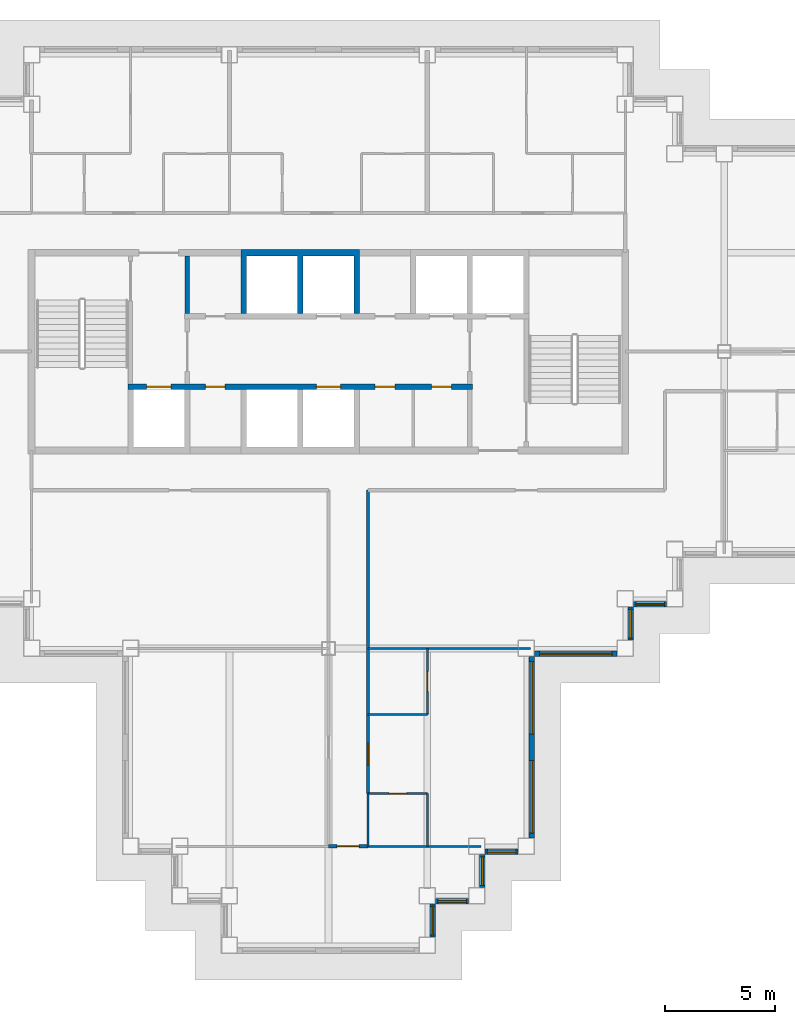
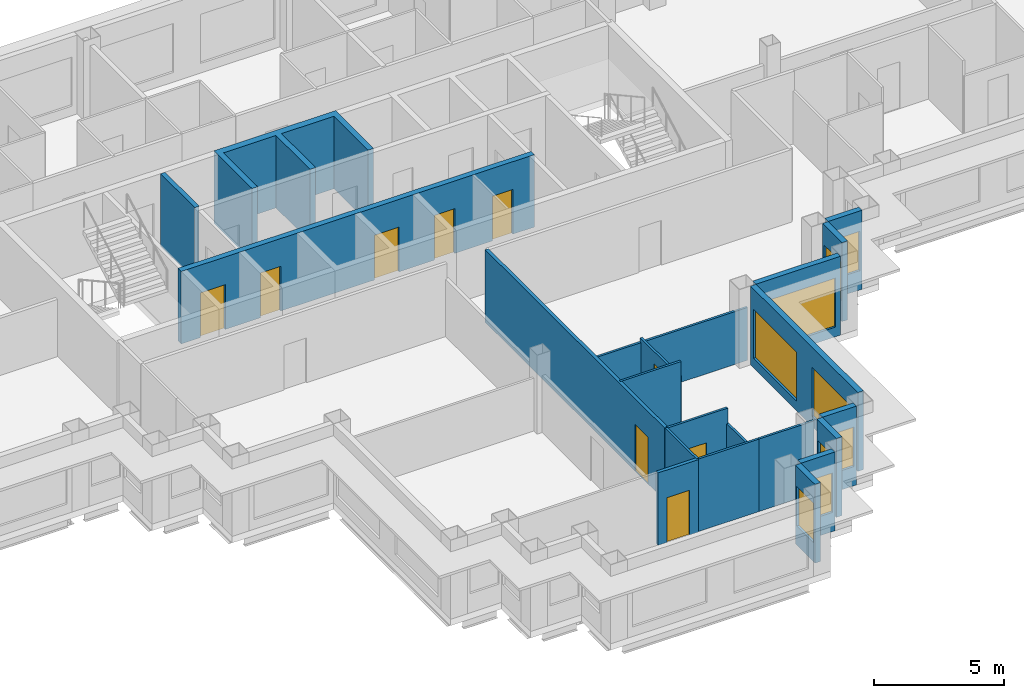
# One storey, part 5 of 13: 21 walls, 9 doors, 9 windows, 18 openings.
"""IFC4 building model written with IfcOpenShell, lengths in metres."""

from ifc_helpers import new_model, si_unit, direction, frame, frame_2d, origin, place, context, subcontext, project, spatial, polyline, rectangle, outline, extrude, material, layer, layer_set, type_object, element, fill, save


model = new_model("IFC4")

# Units and contexts
model_context = context("Model", 3, precision=1e-05, world=origin(), true_north=direction((0.0, 1.0)))
body_context = subcontext(model_context, "Body", "Model", "MODEL_VIEW")
ifc_project = project(units=[si_unit("LENGTHUNIT", "METRE"), si_unit("AREAUNIT", "SQUARE_METRE"), si_unit("VOLUMEUNIT", "CUBIC_METRE"), si_unit("PLANEANGLEUNIT", "RADIAN"), si_unit("MASSUNIT", "GRAM", prefix="KILO")], contexts=[model_context])

# Site, building, storey
site_placement = place(None, origin())
site = spatial("IfcSite", under=ifc_project, at=site_placement, CompositionType="ELEMENT")
building_placement = place(site_placement, origin())
building = spatial("IfcBuilding", under=site, at=building_placement, Name="Caravel Reach Hotel and Residences", CompositionType="ELEMENT")
storey_placement = place(building_placement, frame((0.0, 0.0, 180.199951171875)))
storey = spatial("IfcBuildingStorey", under=building, at=storey_placement, Name="L45", CompositionType="ELEMENT", Elevation=180.199951171875)

# Wall
ifc_material_1 = material(Name="Gypsum board on steel stud", Category="steel")
ifc_layer_1 = layer(ifc_material_1, 0.10009765625)
ifc_layer_set_1 = layer_set([ifc_layer_1], Name="Bathroom pod wall 100 mm")
wall_type_1 = type_object("IfcWallType", Name="Bathroom pod wall 100 mm", PredefinedType="PARTITIONING", material=ifc_layer_set_1)
wall_1_placement = place(storey_placement, frame((33.300048828125, 4.5, 0.0), z_axis=(0.0, 0.0, 1.0), x_axis=(1.0, 0.0, 0.0)))
element("IfcWall", 1, at=wall_1_placement, inside=storey, type_object=wall_type_1, Name="L45 wall w083", PredefinedType="PARTITIONING", context=body_context, shape_type="SweptSolid", body=[
    extrude(rectangle(XDim=2.699951171875, YDim=0.10009765625, at=frame_2d((1.35009765625, 0.0))), origin(), (0.0, 0.0, 1.0), 3.400146484375),
])

# Wall, opening, door
wall_2_placement = place(storey_placement, frame((33.300048828125, 6.89990234375, 0.0), z_axis=(0.0, 0.0, 1.0), x_axis=(1.0, 0.0, 0.0)))
wall_2 = element("IfcWall", 2, at=wall_2_placement, inside=storey, type_object=wall_type_1, Name="L45 wall w084", PredefinedType="PARTITIONING", context=body_context, shape_type="SweptSolid", body=[
    extrude(rectangle(XDim=2.699951171875, YDim=0.10009765625, at=frame_2d((1.35009765625, 0.0))), origin(), (0.0, 0.0, 1.0), 3.400146484375),
])
opening_1_placement = place(wall_2_placement, frame((0.949951171875, 0.0, 0.0)))
opening_1 = element("IfcOpeningElement", 3, at=opening_1_placement, cuts=wall_2, Name="Opening D45-040", PredefinedType="OPENING", context=body_context, shape_type="SweptSolid", body=[
    extrude(rectangle(XDim=0.800048828125, YDim=2.10009765625, at=frame_2d((0.39990234375, 1.050048828125))), frame((0.0, 0.06005859375, 0.0), z_axis=(0.0, -1.0, 0.0), x_axis=(1.0, 0.0, 0.0)), (0.0, 0.0, 1.0), 0.1201171875),
])
ifc_material_2 = material(Name="Timber and steel door leaf", Category="steel")
door_type_1 = type_object("IfcDoorType", Name="Bathroom door 800 x 2100", OperationType="SINGLE_SWING_LEFT", PredefinedType="DOOR", material=ifc_material_2)
door_1_placement = place(opening_1_placement, origin())
door_1 = element("IfcDoor", 4, at=door_1_placement, inside=storey, type_object=door_type_1, Name="door D45-040", OperationType="SINGLE_SWING_LEFT", OverallHeight=2.10009765625, OverallWidth=0.800048828125, PredefinedType="DOOR", context=body_context, shape_type="SweptSolid", body=[
    extrude(rectangle(XDim=0.800048828125, YDim=2.10009765625, at=frame_2d((0.39990234375, 1.050048828125))), frame((0.0, 0.02490234375, 0.0), z_axis=(0.0, -1.0, 0.0), x_axis=(1.0, 0.0, 0.0)), (0.0, 0.0, 1.0), 0.050048828125),
])
fill(opening_1, door_1)

# Walls
wall_3_placement = place(storey_placement, frame((33.300048828125, 4.5, 0.0), z_axis=(0.0, 0.0, 1.0), x_axis=(0.0, 1.0, 0.0)))
element("IfcWall", 5, at=wall_3_placement, inside=storey, type_object=wall_type_1, Name="L45 wall w090", PredefinedType="PARTITIONING", context=body_context, shape_type="SweptSolid", body=[
    extrude(rectangle(XDim=2.39990234375, YDim=0.10009765625, at=frame_2d((1.199951171875, 0.0))), origin(), (0.0, 0.0, 1.0), 3.400146484375),
])
wall_4_placement = place(storey_placement, frame((36.0, 4.5, 0.0), z_axis=(0.0, 0.0, 1.0), x_axis=(0.0, 1.0, 0.0)))
element("IfcWall", 6, at=wall_4_placement, inside=storey, type_object=wall_type_1, Name="L45 wall w091", PredefinedType="PARTITIONING", context=body_context, shape_type="SweptSolid", body=[
    extrude(rectangle(XDim=2.39990234375, YDim=0.10009765625, at=frame_2d((1.199951171875, 0.0))), origin(), (0.0, 0.0, 1.0), 2.679931640625),
])
ifc_material_3 = material(Name="Autoclaved aerated block wall")
ifc_layer_2 = layer(ifc_material_3, 0.199951171875)
ifc_layer_set_2 = layer_set([ifc_layer_2], Name="Compartment wall 200 mm EI 120")
wall_type_2 = type_object("IfcWallType", Name="Compartment wall 200 mm EI 120", PredefinedType="PARTITIONING", material=ifc_layer_set_2)
wall_5_placement = place(storey_placement, frame((25.071533203125, 28.72509765625, 0.0), z_axis=(0.0, 0.0, 1.0), x_axis=(0.0, 1.0, 0.0)))
element("IfcWall", 7, at=wall_5_placement, inside=storey, type_object=wall_type_2, Name="L45 store partition", PredefinedType="PARTITIONING", context=body_context, shape_type="SweptSolid", body=[
    extrude(rectangle(XDim=2.625, YDim=0.199951171875, at=frame_2d((1.3125, 0.0))), origin(), (0.0, 0.0, 1.0), 3.400146484375),
])

# Wall, opening, door
ifc_material_4 = material(Name="Gypsum board on steel stud, fire-rated", Category="steel")
ifc_layer_3 = layer(ifc_material_4, 0.14990234375)
ifc_layer_set_3 = layer_set([ifc_layer_3], Name="Corridor wall 150 mm EI 60")
wall_type_3 = type_object("IfcWallType", Name="Corridor wall 150 mm EI 60", PredefinedType="PARTITIONING", material=ifc_layer_set_3)
wall_6_placement = place(storey_placement, frame((31.5, 4.5, 0.0), z_axis=(0.0, 0.0, 1.0), x_axis=(1.0, 0.0, 0.0)))
wall_6 = element("IfcWall", 8, at=wall_6_placement, inside=storey, type_object=wall_type_3, Name="L45 wall w020", PredefinedType="PARTITIONING", context=body_context, shape_type="SweptSolid", body=[
    extrude(rectangle(XDim=1.800048828125, YDim=0.14990234375, at=frame_2d((0.89990234375, 0.0))), origin(), (0.0, 0.0, 1.0), 3.400146484375),
])
opening_2_placement = place(wall_6_placement, frame((0.39990234375, 0.0, 0.0)))
opening_2 = element("IfcOpeningElement", 9, at=opening_2_placement, cuts=wall_6, Name="Opening D45-046", PredefinedType="OPENING", context=body_context, shape_type="SweptSolid", body=[
    extrude(rectangle(XDim=1.0, YDim=2.10009765625, at=frame_2d((0.5, 1.050048828125))), frame((0.0, 0.0849609375, 0.0), z_axis=(0.0, -1.0, 0.0), x_axis=(1.0, 0.0, 0.0)), (0.0, 0.0, 1.0), 0.169921875),
])
ifc_material_5 = material(Name="Steel fire door leaf", Category="steel")
door_type_2 = type_object("IfcDoorType", Name="Fire door 1000 x 2100 EI 60", OperationType="SINGLE_SWING_LEFT", PredefinedType="DOOR", material=ifc_material_5)
door_2_placement = place(opening_2_placement, origin())
door_2 = element("IfcDoor", 10, at=door_2_placement, inside=storey, type_object=door_type_2, Name="door D45-046", OperationType="SINGLE_SWING_RIGHT", OverallHeight=2.10009765625, OverallWidth=1.0, PredefinedType="DOOR", context=body_context, shape_type="SweptSolid", body=[
    extrude(rectangle(XDim=1.0, YDim=2.10009765625, at=frame_2d((0.5, 1.050048828125))), frame((0.0, 0.02490234375, 0.0), z_axis=(0.0, -1.0, 0.0), x_axis=(1.0, 0.0, 0.0)), (0.0, 0.0, 1.0), 0.050048828125),
])
fill(opening_2, door_2)

wall_7_placement = place(storey_placement, frame((33.300048828125, 6.89990234375, 0.0), z_axis=(0.0, 0.0, 1.0), x_axis=(0.0, 1.0, 0.0)))
wall_7 = element("IfcWall", 11, at=wall_7_placement, inside=storey, type_object=wall_type_3, Name="L45 wall w025", PredefinedType="PARTITIONING", context=body_context, shape_type="SweptSolid", body=[
    extrude(rectangle(XDim=13.799072265625, YDim=0.14990234375, at=frame_2d((6.8994140625, 0.0))), origin(), (0.0, 0.0, 1.0), 3.400146484375),
])
opening_3_placement = place(wall_7_placement, frame((1.300048828125, 0.0, 0.0)))
opening_3 = element("IfcOpeningElement", 12, at=opening_3_placement, cuts=wall_7, Name="Opening D45-039", PredefinedType="OPENING", context=body_context, shape_type="SweptSolid", body=[
    extrude(rectangle(XDim=1.0, YDim=2.199951171875, at=frame_2d((0.5, 1.10009765625))), frame((0.0, 0.0849609375, 0.0), z_axis=(0.0, -1.0, 0.0), x_axis=(1.0, 0.0, 0.0)), (0.0, 0.0, 1.0), 0.169921875),
])
ifc_material_6 = material(Name="Steel fire door leaf", Category="steel")
door_type_3 = type_object("IfcDoorType", Name="Flat entrance door 1000 x 2200 EI 60", OperationType="SINGLE_SWING_LEFT", PredefinedType="DOOR", material=ifc_material_6)
door_3_placement = place(opening_3_placement, origin())
door_3 = element("IfcDoor", 13, at=door_3_placement, inside=storey, type_object=door_type_3, Name="door D45-039", OperationType="SINGLE_SWING_RIGHT", OverallHeight=2.199951171875, OverallWidth=1.0, PredefinedType="DOOR", context=body_context, shape_type="SweptSolid", body=[
    extrude(rectangle(XDim=1.0, YDim=2.199951171875, at=frame_2d((0.5, 1.10009765625))), frame((0.0, 0.02490234375, 0.0), z_axis=(0.0, -1.0, 0.0), x_axis=(1.0, 0.0, 0.0)), (0.0, 0.0, 1.0), 0.050048828125),
])
fill(opening_3, door_3)

# Wall, opening, window
ifc_material_7 = material(Name="Insulated rainscreen wall, aluminium cladding", Category="aluminium")
ifc_layer_4 = layer(ifc_material_7, 0.25)
ifc_layer_set_4 = layer_set([ifc_layer_4], Name="EW1 Tower rainscreen wall")
wall_type_4 = type_object("IfcWallType", Name="EW1 Tower rainscreen wall", PredefinedType="SOLIDWALL", material=ifc_layer_set_4)
wall_8_placement = place(storey_placement, frame((36.25, 0.375, 0.0), z_axis=(0.0, 0.0, 1.0), x_axis=(0.0, 1.0, 0.0)))
wall_8 = element("IfcWall", 14, at=wall_8_placement, inside=storey, type_object=wall_type_4, Name="External wall L45 E6.1", PredefinedType="SOLIDWALL", context=body_context, shape_type="SweptSolid", body=[
    extrude(rectangle(XDim=1.5, YDim=0.25, at=frame_2d((0.75, 0.0))), origin(), (0.0, 0.0, 1.0), 3.699951171875),
])
opening_4_placement = place(wall_8_placement, frame((0.10009765625, 0.0, 0.89990234375)))
opening_4 = element("IfcOpeningElement", 15, at=opening_4_placement, cuts=wall_8, Name="Opening WN16", PredefinedType="OPENING", context=body_context, shape_type="SweptSolid", body=[
    extrude(rectangle(XDim=1.300048828125, YDim=1.85009765625, at=frame_2d((0.64990234375, 0.925048828125))), frame((0.0, 0.135009765625, 0.0), z_axis=(0.0, -1.0, 0.0), x_axis=(1.0, 0.0, 0.0)), (0.0, 0.0, 1.0), 0.27001953125),
])
ifc_material_8 = material(Name="Dark low-e glazing in black aluminium frame", Category="aluminium")
window_type_1 = type_object("IfcWindowType", Name="Residence bedroom window 1300 x 1850", PartitioningType="SINGLE_PANEL", PredefinedType="WINDOW", material=ifc_material_8)
window_1_placement = place(opening_4_placement, origin())
window_1 = element("IfcWindow", 16, at=window_1_placement, inside=storey, type_object=window_type_1, Name="Window L45 E6.1.1", OverallHeight=1.85009765625, OverallWidth=1.300048828125, PartitioningType="SINGLE_PANEL", PredefinedType="WINDOW", context=body_context, shape_type="SweptSolid", body=[
    extrude(rectangle(XDim=1.300048828125, YDim=1.85009765625, at=frame_2d((0.64990234375, 0.925048828125))), frame((0.0, 0.030029296875, 0.0), z_axis=(0.0, -1.0, 0.0), x_axis=(1.0, 0.0, 0.0)), (0.0, 0.0, 1.0), 0.06005859375),
])
fill(opening_4, window_1)

wall_9_placement = place(storey_placement, frame((36.375, 2.0, 0.0), z_axis=(0.0, 0.0, 1.0), x_axis=(1.0, 0.0, 0.0)))
wall_9 = element("IfcWall", 17, at=wall_9_placement, inside=storey, type_object=wall_type_4, Name="External wall L45 S7.1", PredefinedType="SOLIDWALL", context=body_context, shape_type="SweptSolid", body=[
    extrude(rectangle(XDim=1.5, YDim=0.25, at=frame_2d((0.75, 0.0))), origin(), (0.0, 0.0, 1.0), 3.699951171875),
])
opening_5_placement = place(wall_9_placement, frame((0.10009765625, 0.0, 0.89990234375)))
opening_5 = element("IfcOpeningElement", 18, at=opening_5_placement, cuts=wall_9, Name="Opening WN16", PredefinedType="OPENING", context=body_context, shape_type="SweptSolid", body=[
    extrude(rectangle(XDim=1.300048828125, YDim=1.85009765625, at=frame_2d((0.64990234375, 0.925048828125))), frame((0.0, 0.135009765625, 0.0), z_axis=(0.0, -1.0, 0.0), x_axis=(1.0, 0.0, 0.0)), (0.0, 0.0, 1.0), 0.27001953125),
])
window_2_placement = place(opening_5_placement, origin())
window_2 = element("IfcWindow", 19, at=window_2_placement, inside=storey, type_object=window_type_1, Name="Window L45 S7.1.1", OverallHeight=1.85009765625, OverallWidth=1.300048828125, PartitioningType="SINGLE_PANEL", PredefinedType="WINDOW", context=body_context, shape_type="SweptSolid", body=[
    extrude(rectangle(XDim=1.300048828125, YDim=1.85009765625, at=frame_2d((0.64990234375, 0.925048828125))), frame((0.0, 0.030029296875, 0.0), z_axis=(0.0, -1.0, 0.0), x_axis=(1.0, 0.0, 0.0)), (0.0, 0.0, 1.0), 0.06005859375),
])
fill(opening_5, window_2)

wall_10_placement = place(storey_placement, frame((38.5, 2.625, 0.0), z_axis=(0.0, 0.0, 1.0), x_axis=(0.0, 1.0, 0.0)))
wall_10 = element("IfcWall", 20, at=wall_10_placement, inside=storey, type_object=wall_type_4, Name="External wall L45 E8.1", PredefinedType="SOLIDWALL", context=body_context, shape_type="SweptSolid", body=[
    extrude(rectangle(XDim=1.5, YDim=0.25, at=frame_2d((0.75, 0.0))), origin(), (0.0, 0.0, 1.0), 3.699951171875),
])
opening_6_placement = place(wall_10_placement, frame((0.10009765625, 0.0, 0.89990234375)))
opening_6 = element("IfcOpeningElement", 21, at=opening_6_placement, cuts=wall_10, Name="Opening WN16", PredefinedType="OPENING", context=body_context, shape_type="SweptSolid", body=[
    extrude(rectangle(XDim=1.300048828125, YDim=1.85009765625, at=frame_2d((0.64990234375, 0.925048828125))), frame((0.0, 0.135009765625, 0.0), z_axis=(0.0, -1.0, 0.0), x_axis=(1.0, 0.0, 0.0)), (0.0, 0.0, 1.0), 0.27001953125),
])
window_3_placement = place(opening_6_placement, origin())
window_3 = element("IfcWindow", 22, at=window_3_placement, inside=storey, type_object=window_type_1, Name="Window L45 E8.1.1", OverallHeight=1.85009765625, OverallWidth=1.300048828125, PartitioningType="SINGLE_PANEL", PredefinedType="WINDOW", context=body_context, shape_type="SweptSolid", body=[
    extrude(rectangle(XDim=1.300048828125, YDim=1.85009765625, at=frame_2d((0.64990234375, 0.925048828125))), frame((0.0, 0.030029296875, 0.0), z_axis=(0.0, -1.0, 0.0), x_axis=(1.0, 0.0, 0.0)), (0.0, 0.0, 1.0), 0.06005859375),
])
fill(opening_6, window_3)

wall_11_placement = place(storey_placement, frame((38.625, 4.25, 0.0), z_axis=(0.0, 0.0, 1.0), x_axis=(1.0, 0.0, 0.0)))
wall_11 = element("IfcWall", 23, at=wall_11_placement, inside=storey, type_object=wall_type_4, Name="External wall L45 S9.1", PredefinedType="SOLIDWALL", context=body_context, shape_type="SweptSolid", body=[
    extrude(rectangle(XDim=1.5, YDim=0.25, at=frame_2d((0.75, 0.0))), origin(), (0.0, 0.0, 1.0), 3.699951171875),
])
opening_7_placement = place(wall_11_placement, frame((0.10009765625, 0.0, 0.89990234375)))
opening_7 = element("IfcOpeningElement", 24, at=opening_7_placement, cuts=wall_11, Name="Opening WN16", PredefinedType="OPENING", context=body_context, shape_type="SweptSolid", body=[
    extrude(rectangle(XDim=1.300048828125, YDim=1.85009765625, at=frame_2d((0.64990234375, 0.925048828125))), frame((0.0, 0.135009765625, 0.0), z_axis=(0.0, -1.0, 0.0), x_axis=(1.0, 0.0, 0.0)), (0.0, 0.0, 1.0), 0.27001953125),
])
window_4_placement = place(opening_7_placement, origin())
window_4 = element("IfcWindow", 25, at=window_4_placement, inside=storey, type_object=window_type_1, Name="Window L45 S9.1.1", OverallHeight=1.85009765625, OverallWidth=1.300048828125, PartitioningType="SINGLE_PANEL", PredefinedType="WINDOW", context=body_context, shape_type="SweptSolid", body=[
    extrude(rectangle(XDim=1.300048828125, YDim=1.85009765625, at=frame_2d((0.64990234375, 0.925048828125))), frame((0.0, 0.030029296875, 0.0), z_axis=(0.0, -1.0, 0.0), x_axis=(1.0, 0.0, 0.0)), (0.0, 0.0, 1.0), 0.06005859375),
])
fill(opening_7, window_4)

# Wall, openings, windows
wall_12_placement = place(storey_placement, frame((40.75, 4.875, 0.0), z_axis=(0.0, 0.0, 1.0), x_axis=(0.0, 1.0, 0.0)))
wall_12 = element("IfcWall", 26, at=wall_12_placement, inside=storey, type_object=wall_type_4, Name="External wall L45 E10.1", PredefinedType="SOLIDWALL", context=body_context, shape_type="SweptSolid", body=[
    extrude(rectangle(XDim=8.25, YDim=0.25, at=frame_2d((4.125, 0.0))), origin(), (0.0, 0.0, 1.0), 3.699951171875),
])
opening_8_placement = place(wall_12_placement, frame((0.22509765625, 0.0, 0.449951171875)))
opening_8 = element("IfcOpeningElement", 27, at=opening_8_placement, cuts=wall_12, Name="Opening WN15", PredefinedType="OPENING", context=body_context, shape_type="SweptSolid", body=[
    extrude(rectangle(XDim=3.300048828125, YDim=2.300048828125, at=frame_2d((1.64990234375, 1.14990234375))), frame((0.0, 0.135009765625, 0.0), z_axis=(0.0, -1.0, 0.0), x_axis=(1.0, 0.0, 0.0)), (0.0, 0.0, 1.0), 0.27001953125),
])
opening_9_placement = place(wall_12_placement, frame((4.72509765625, 0.0, 0.449951171875)))
opening_9 = element("IfcOpeningElement", 28, at=opening_9_placement, cuts=wall_12, Name="Opening WN15", PredefinedType="OPENING", context=body_context, shape_type="SweptSolid", body=[
    extrude(rectangle(XDim=3.300048828125, YDim=2.300048828125, at=frame_2d((1.64990234375, 1.14990234375))), frame((0.0, 0.135009765625, 0.0), z_axis=(0.0, -1.0, 0.0), x_axis=(1.0, 0.0, 0.0)), (0.0, 0.0, 1.0), 0.27001953125),
])
ifc_material_9 = material(Name="Dark low-e glazing in black aluminium frame", Category="aluminium")
window_type_2 = type_object("IfcWindowType", Name="Residence living window 3300 x 2300", PartitioningType="SINGLE_PANEL", PredefinedType="WINDOW", material=ifc_material_9)
window_5_placement = place(opening_8_placement, origin())
window_5 = element("IfcWindow", 29, at=window_5_placement, inside=storey, type_object=window_type_2, Name="Window L45 E10.1.1", OverallHeight=2.300048828125, OverallWidth=3.300048828125, PartitioningType="SINGLE_PANEL", PredefinedType="WINDOW", context=body_context, shape_type="SweptSolid", body=[
    extrude(rectangle(XDim=3.300048828125, YDim=2.300048828125, at=frame_2d((1.64990234375, 1.14990234375))), frame((0.0, 0.030029296875, 0.0), z_axis=(0.0, -1.0, 0.0), x_axis=(1.0, 0.0, 0.0)), (0.0, 0.0, 1.0), 0.06005859375),
])
fill(opening_8, window_5)
window_6_placement = place(opening_9_placement, origin())
window_6 = element("IfcWindow", 30, at=window_6_placement, inside=storey, type_object=window_type_2, Name="Window L45 E10.1.2", OverallHeight=2.300048828125, OverallWidth=3.300048828125, PartitioningType="SINGLE_PANEL", PredefinedType="WINDOW", context=body_context, shape_type="SweptSolid", body=[
    extrude(rectangle(XDim=3.300048828125, YDim=2.300048828125, at=frame_2d((1.64990234375, 1.14990234375))), frame((0.0, 0.030029296875, 0.0), z_axis=(0.0, -1.0, 0.0), x_axis=(1.0, 0.0, 0.0)), (0.0, 0.0, 1.0), 0.06005859375),
])
fill(opening_9, window_6)

# Wall, opening, window
wall_13_placement = place(storey_placement, frame((40.875, 13.25, 0.0), z_axis=(0.0, 0.0, 1.0), x_axis=(1.0, 0.0, 0.0)))
wall_13 = element("IfcWall", 31, at=wall_13_placement, inside=storey, type_object=wall_type_4, Name="External wall L45 S11.1", PredefinedType="SOLIDWALL", context=body_context, shape_type="SweptSolid", body=[
    extrude(rectangle(XDim=3.75, YDim=0.25, at=frame_2d((1.875, 0.0))), origin(), (0.0, 0.0, 1.0), 3.699951171875),
])
opening_10_placement = place(wall_13_placement, frame((0.22509765625, 0.0, 0.449951171875)))
opening_10 = element("IfcOpeningElement", 32, at=opening_10_placement, cuts=wall_13, Name="Opening WN15", PredefinedType="OPENING", context=body_context, shape_type="SweptSolid", body=[
    extrude(rectangle(XDim=3.300048828125, YDim=2.300048828125, at=frame_2d((1.64990234375, 1.14990234375))), frame((0.0, 0.135009765625, 0.0), z_axis=(0.0, -1.0, 0.0), x_axis=(1.0, 0.0, 0.0)), (0.0, 0.0, 1.0), 0.27001953125),
])
window_7_placement = place(opening_10_placement, origin())
window_7 = element("IfcWindow", 33, at=window_7_placement, inside=storey, type_object=window_type_2, Name="Window L45 S11.1.1", OverallHeight=2.300048828125, OverallWidth=3.300048828125, PartitioningType="SINGLE_PANEL", PredefinedType="WINDOW", context=body_context, shape_type="SweptSolid", body=[
    extrude(rectangle(XDim=3.300048828125, YDim=2.300048828125, at=frame_2d((1.64990234375, 1.14990234375))), frame((0.0, 0.030029296875, 0.0), z_axis=(0.0, -1.0, 0.0), x_axis=(1.0, 0.0, 0.0)), (0.0, 0.0, 1.0), 0.06005859375),
])
fill(opening_10, window_7)

wall_14_placement = place(storey_placement, frame((45.25, 13.875, 0.0), z_axis=(0.0, 0.0, 1.0), x_axis=(0.0, 1.0, 0.0)))
wall_14 = element("IfcWall", 34, at=wall_14_placement, inside=storey, type_object=wall_type_4, Name="External wall L45 E12.1", PredefinedType="SOLIDWALL", context=body_context, shape_type="SweptSolid", body=[
    extrude(rectangle(XDim=1.5, YDim=0.25, at=frame_2d((0.75, 0.0))), origin(), (0.0, 0.0, 1.0), 3.699951171875),
])
opening_11_placement = place(wall_14_placement, frame((0.10009765625, 0.0, 0.89990234375)))
opening_11 = element("IfcOpeningElement", 35, at=opening_11_placement, cuts=wall_14, Name="Opening WN16", PredefinedType="OPENING", context=body_context, shape_type="SweptSolid", body=[
    extrude(rectangle(XDim=1.300048828125, YDim=1.85009765625, at=frame_2d((0.64990234375, 0.925048828125))), frame((0.0, 0.135009765625, 0.0), z_axis=(0.0, -1.0, 0.0), x_axis=(1.0, 0.0, 0.0)), (0.0, 0.0, 1.0), 0.27001953125),
])
window_8_placement = place(opening_11_placement, origin())
window_8 = element("IfcWindow", 36, at=window_8_placement, inside=storey, type_object=window_type_1, Name="Window L45 E12.1.1", OverallHeight=1.85009765625, OverallWidth=1.300048828125, PartitioningType="SINGLE_PANEL", PredefinedType="WINDOW", context=body_context, shape_type="SweptSolid", body=[
    extrude(rectangle(XDim=1.300048828125, YDim=1.85009765625, at=frame_2d((0.64990234375, 0.925048828125))), frame((0.0, 0.030029296875, 0.0), z_axis=(0.0, -1.0, 0.0), x_axis=(1.0, 0.0, 0.0)), (0.0, 0.0, 1.0), 0.06005859375),
])
fill(opening_11, window_8)

wall_15_placement = place(storey_placement, frame((45.375, 15.5, 0.0), z_axis=(0.0, 0.0, 1.0), x_axis=(1.0, 0.0, 0.0)))
wall_15 = element("IfcWall", 37, at=wall_15_placement, inside=storey, type_object=wall_type_4, Name="External wall L45 S13.1", PredefinedType="SOLIDWALL", context=body_context, shape_type="SweptSolid", body=[
    extrude(rectangle(XDim=1.5, YDim=0.25, at=frame_2d((0.75, 0.0))), origin(), (0.0, 0.0, 1.0), 3.699951171875),
])
opening_12_placement = place(wall_15_placement, frame((0.10009765625, 0.0, 0.89990234375)))
opening_12 = element("IfcOpeningElement", 38, at=opening_12_placement, cuts=wall_15, Name="Opening WN16", PredefinedType="OPENING", context=body_context, shape_type="SweptSolid", body=[
    extrude(rectangle(XDim=1.300048828125, YDim=1.85009765625, at=frame_2d((0.64990234375, 0.925048828125))), frame((0.0, 0.135009765625, 0.0), z_axis=(0.0, -1.0, 0.0), x_axis=(1.0, 0.0, 0.0)), (0.0, 0.0, 1.0), 0.27001953125),
])
window_9_placement = place(opening_12_placement, origin())
window_9 = element("IfcWindow", 39, at=window_9_placement, inside=storey, type_object=window_type_1, Name="Window L45 S13.1.1", OverallHeight=1.85009765625, OverallWidth=1.300048828125, PartitioningType="SINGLE_PANEL", PredefinedType="WINDOW", context=body_context, shape_type="SweptSolid", body=[
    extrude(rectangle(XDim=1.300048828125, YDim=1.85009765625, at=frame_2d((0.64990234375, 0.925048828125))), frame((0.0, 0.030029296875, 0.0), z_axis=(0.0, -1.0, 0.0), x_axis=(1.0, 0.0, 0.0)), (0.0, 0.0, 1.0), 0.06005859375),
])
fill(opening_12, window_9)

# Walls
ifc_material_10 = material(Name="Gypsum board on steel stud", Category="steel")
ifc_layer_5 = layer(ifc_material_10, 0.10009765625)
ifc_layer_set_5 = layer_set([ifc_layer_5], Name="Partition 100 mm")
wall_type_5 = type_object("IfcWallType", Name="Partition 100 mm", PredefinedType="PARTITIONING", material=ifc_layer_set_5)
wall_16_placement = place(storey_placement, frame((33.300048828125, 10.5, 0.0), z_axis=(0.0, 0.0, 1.0), x_axis=(1.0, 0.0, 0.0)))
element("IfcWall", 40, at=wall_16_placement, inside=storey, type_object=wall_type_5, Name="L45 wall w032", PredefinedType="PARTITIONING", context=body_context, shape_type="SweptSolid", body=[
    extrude(rectangle(XDim=2.699951171875, YDim=0.10009765625, at=frame_2d((1.35009765625, 0.0))), origin(), (0.0, 0.0, 1.0), 3.400146484375),
])
wall_17_placement = place(storey_placement, frame((33.301025390625, 13.5, 0.0), z_axis=(0.0, 0.0, 1.0), x_axis=(1.0, 0.0, 0.0)))
element("IfcWall", 41, at=wall_17_placement, inside=storey, type_object=wall_type_5, Name="L45 wall w034", PredefinedType="PARTITIONING", context=body_context, shape_type="SweptSolid", body=[
    extrude(rectangle(XDim=7.388916015625, YDim=0.10009765625, at=frame_2d((3.6943359375, 0.0))), origin(), (0.0, 0.0, 1.0), 2.47998046875),
])
wall_18_placement = place(storey_placement, frame((36.0, 4.5, 0.0), z_axis=(0.0, 0.0, 1.0), x_axis=(1.0, 0.0, 0.0)))
element("IfcWall", 42, at=wall_18_placement, inside=storey, type_object=wall_type_5, Name="L45 wall w048", PredefinedType="PARTITIONING", context=body_context, shape_type="SweptSolid", body=[
    extrude(rectangle(XDim=2.43994140625, YDim=0.10009765625, at=frame_2d((1.219970703125, 0.0))), origin(), (0.0, 0.0, 1.0), 3.400146484375),
])

# Wall, opening, door
wall_19_placement = place(storey_placement, frame((36.0, 10.5, 0.0), z_axis=(0.0, 0.0, 1.0), x_axis=(0.0, 1.0, 0.0)))
wall_19 = element("IfcWall", 43, at=wall_19_placement, inside=storey, type_object=wall_type_5, Name="L45 wall w058", PredefinedType="PARTITIONING", context=body_context, shape_type="SweptSolid", body=[
    extrude(rectangle(XDim=3.0, YDim=0.10009765625, at=frame_2d((1.5, 0.0))), origin(), (0.0, 0.0, 1.0), 2.679931640625),
])
opening_13_placement = place(wall_19_placement, frame((1.050048828125, 0.0, 0.0)))
opening_13 = element("IfcOpeningElement", 44, at=opening_13_placement, cuts=wall_19, Name="Opening D45-041", PredefinedType="OPENING", context=body_context, shape_type="SweptSolid", body=[
    extrude(rectangle(XDim=0.89990234375, YDim=2.10009765625, at=frame_2d((0.449951171875, 1.050048828125))), frame((0.0, 0.06005859375, 0.0), z_axis=(0.0, -1.0, 0.0), x_axis=(1.0, 0.0, 0.0)), (0.0, 0.0, 1.0), 0.1201171875),
])
ifc_material_11 = material(Name="Timber and steel door leaf", Category="steel")
door_type_4 = type_object("IfcDoorType", Name="Door 900 x 2100 timber", OperationType="SINGLE_SWING_LEFT", PredefinedType="DOOR", material=ifc_material_11)
door_4_placement = place(opening_13_placement, origin())
door_4 = element("IfcDoor", 45, at=door_4_placement, inside=storey, type_object=door_type_4, Name="door D45-041", OperationType="SINGLE_SWING_LEFT", OverallHeight=2.10009765625, OverallWidth=0.89990234375, PredefinedType="DOOR", context=body_context, shape_type="SweptSolid", body=[
    extrude(rectangle(XDim=0.89990234375, YDim=2.10009765625, at=frame_2d((0.449951171875, 1.050048828125))), frame((0.0, 0.02490234375, 0.0), z_axis=(0.0, -1.0, 0.0), x_axis=(1.0, 0.0, 0.0)), (0.0, 0.0, 1.0), 0.050048828125),
])
fill(opening_13, door_4)

# Wall
ifc_material_12 = material(Name="Concrete C60", Category="concrete")
ifc_layer_6 = layer(ifc_material_12, 0.25)
ifc_layer_set_6 = layer_set([ifc_layer_6], Name="Shaft wall 250 mm EI 120")
wall_type_6 = type_object("IfcWallType", Name="Shaft wall 250 mm EI 120", PredefinedType="SHEAR", material=ifc_layer_set_6)
wall_20_placement = place(storey_placement, origin())
element("IfcWall", 46, at=wall_20_placement, inside=storey, type_object=wall_type_6, Name="L45 lift shaft wall N1", PredefinedType="SHEAR", context=body_context, shape_type="SweptSolid", body=[
    extrude(outline(polyline([(27.517822265625, 28.72509765625), (27.767822265625, 28.72509765625), (27.767822265625, 31.35009765625), (30.08935546875, 31.35009765625), (30.08935546875, 28.72509765625), (30.33935546875, 28.72509765625), (30.33935546875, 31.35009765625), (32.66064453125, 31.35009765625), (32.66064453125, 28.72509765625), (32.91064453125, 28.72509765625), (32.91064453125, 31.64990234375), (27.517822265625, 31.64990234375), (27.517822265625, 28.72509765625)])), origin(), (0.0, 0.0, 1.0), 3.400146484375),
])

# Wall, openings, doors
wall_21_placement = place(storey_placement, frame((22.375, 25.39990234375, 0.0), z_axis=(0.0, 0.0, 1.0), x_axis=(1.0, 0.0, 0.0)))
wall_21 = element("IfcWall", 47, at=wall_21_placement, inside=storey, type_object=wall_type_6, Name="L45 lobby wall S1", PredefinedType="SHEAR", context=body_context, shape_type="SweptSolid", body=[
    extrude(rectangle(XDim=15.678466796875, YDim=0.25, at=frame_2d((7.83935546875, 0.0))), origin(), (0.0, 0.0, 1.0), 3.400146484375),
])
opening_14_placement = place(wall_21_placement, frame((8.574951171875, 0.0, 0.0)))
opening_14 = element("IfcOpeningElement", 48, at=opening_14_placement, cuts=wall_21, Name="Opening D45-001", PredefinedType="OPENING", context=body_context, shape_type="SweptSolid", body=[
    extrude(rectangle(XDim=1.10009765625, YDim=2.10009765625, at=frame_2d((0.550048828125, 1.050048828125))), frame((0.0, 0.135009765625, 0.0), z_axis=(0.0, -1.0, 0.0), x_axis=(1.0, 0.0, 0.0)), (0.0, 0.0, 1.0), 0.27001953125),
])
opening_15_placement = place(wall_21_placement, frame((0.860595703125, 0.0, 0.0)))
opening_15 = element("IfcOpeningElement", 49, at=opening_15_placement, cuts=wall_21, Name="Opening D45-004", PredefinedType="OPENING", context=body_context, shape_type="SweptSolid", body=[
    extrude(rectangle(XDim=1.10009765625, YDim=2.10009765625, at=frame_2d((0.550048828125, 1.050048828125))), frame((0.0, 0.135009765625, 0.0), z_axis=(0.0, -1.0, 0.0), x_axis=(1.0, 0.0, 0.0)), (0.0, 0.0, 1.0), 0.27001953125),
])
opening_16_placement = place(wall_21_placement, frame((3.531982421875, 0.0, 0.0)))
opening_16 = element("IfcOpeningElement", 50, at=opening_16_placement, cuts=wall_21, Name="Opening D45-006", PredefinedType="OPENING", context=body_context, shape_type="SweptSolid", body=[
    extrude(rectangle(XDim=0.89990234375, YDim=2.10009765625, at=frame_2d((0.449951171875, 1.050048828125))), frame((0.0, 0.135009765625, 0.0), z_axis=(0.0, -1.0, 0.0), x_axis=(1.0, 0.0, 0.0)), (0.0, 0.0, 1.0), 0.27001953125),
])
opening_17_placement = place(wall_21_placement, frame((11.246337890625, 0.0, 0.0)))
opening_17 = element("IfcOpeningElement", 51, at=opening_17_placement, cuts=wall_21, Name="Opening D45-007", PredefinedType="OPENING", context=body_context, shape_type="SweptSolid", body=[
    extrude(rectangle(XDim=0.89990234375, YDim=2.10009765625, at=frame_2d((0.449951171875, 1.050048828125))), frame((0.0, 0.135009765625, 0.0), z_axis=(0.0, -1.0, 0.0), x_axis=(1.0, 0.0, 0.0)), (0.0, 0.0, 1.0), 0.27001953125),
])
opening_18_placement = place(wall_21_placement, frame((13.81787109375, 0.0, 0.0)))
opening_18 = element("IfcOpeningElement", 52, at=opening_18_placement, cuts=wall_21, Name="Opening D45-008", PredefinedType="OPENING", context=body_context, shape_type="SweptSolid", body=[
    extrude(rectangle(XDim=0.89990234375, YDim=2.10009765625, at=frame_2d((0.449951171875, 1.050048828125))), frame((0.0, 0.135009765625, 0.0), z_axis=(0.0, -1.0, 0.0), x_axis=(1.0, 0.0, 0.0)), (0.0, 0.0, 1.0), 0.27001953125),
])
ifc_material_13 = material(Name="Stainless steel landing door", Category="steel")
door_type_5 = type_object("IfcDoorType", Name="Landing door LD 1100 x 2100 sliding", OperationType="DOUBLE_DOOR_SLIDING", PredefinedType="DOOR", material=ifc_material_13)
door_5_placement = place(opening_14_placement, origin())
door_5 = element("IfcDoor", 53, at=door_5_placement, inside=storey, type_object=door_type_5, Name="MP1 landing door", OperationType="DOUBLE_DOOR_SLIDING", OverallHeight=2.10009765625, OverallWidth=1.10009765625, PredefinedType="DOOR", context=body_context, shape_type="SweptSolid", body=[
    extrude(rectangle(XDim=1.10009765625, YDim=2.10009765625, at=frame_2d((0.550048828125, 1.050048828125))), frame((0.0, 0.02490234375, 0.0), z_axis=(0.0, -1.0, 0.0), x_axis=(1.0, 0.0, 0.0)), (0.0, 0.0, 1.0), 0.050048828125),
])
fill(opening_14, door_5)
door_6_placement = place(opening_15_placement, origin())
door_6 = element("IfcDoor", 54, at=door_6_placement, inside=storey, type_object=door_type_5, Name="FL1 landing door", OperationType="DOUBLE_DOOR_SLIDING", OverallHeight=2.10009765625, OverallWidth=1.10009765625, PredefinedType="DOOR", context=body_context, shape_type="SweptSolid", body=[
    extrude(rectangle(XDim=1.10009765625, YDim=2.10009765625, at=frame_2d((0.550048828125, 1.050048828125))), frame((0.0, 0.02490234375, 0.0), z_axis=(0.0, -1.0, 0.0), x_axis=(1.0, 0.0, 0.0)), (0.0, 0.0, 1.0), 0.050048828125),
])
fill(opening_15, door_6)
ifc_material_14 = material(Name="Steel fire door leaf", Category="steel")
door_type_6 = type_object("IfcDoorType", Name="Riser door 900 x 2100 EI 60", OperationType="SINGLE_SWING_LEFT", PredefinedType="DOOR", material=ifc_material_14)
door_7_placement = place(opening_16_placement, origin())
door_7 = element("IfcDoor", 55, at=door_7_placement, inside=storey, type_object=door_type_6, Name="Refuse store door", OperationType="SINGLE_SWING_LEFT", OverallHeight=2.10009765625, OverallWidth=0.89990234375, PredefinedType="DOOR", context=body_context, shape_type="SweptSolid", body=[
    extrude(rectangle(XDim=0.89990234375, YDim=2.10009765625, at=frame_2d((0.449951171875, 1.050048828125))), frame((0.0, 0.02490234375, 0.0), z_axis=(0.0, -1.0, 0.0), x_axis=(1.0, 0.0, 0.0)), (0.0, 0.0, 1.0), 0.050048828125),
])
fill(opening_16, door_7)
door_8_placement = place(opening_17_placement, origin())
door_8 = element("IfcDoor", 56, at=door_8_placement, inside=storey, type_object=door_type_6, Name="Housekeeping store door", OperationType="SINGLE_SWING_LEFT", OverallHeight=2.10009765625, OverallWidth=0.89990234375, PredefinedType="DOOR", context=body_context, shape_type="SweptSolid", body=[
    extrude(rectangle(XDim=0.89990234375, YDim=2.10009765625, at=frame_2d((0.449951171875, 1.050048828125))), frame((0.0, 0.02490234375, 0.0), z_axis=(0.0, -1.0, 0.0), x_axis=(1.0, 0.0, 0.0)), (0.0, 0.0, 1.0), 0.050048828125),
])
fill(opening_17, door_8)
door_9_placement = place(opening_18_placement, origin())
door_9 = element("IfcDoor", 57, at=door_9_placement, inside=storey, type_object=door_type_6, Name="Mail store door", OperationType="SINGLE_SWING_LEFT", OverallHeight=2.10009765625, OverallWidth=0.89990234375, PredefinedType="DOOR", context=body_context, shape_type="SweptSolid", body=[
    extrude(rectangle(XDim=0.89990234375, YDim=2.10009765625, at=frame_2d((0.449951171875, 1.050048828125))), frame((0.0, 0.02490234375, 0.0), z_axis=(0.0, -1.0, 0.0), x_axis=(1.0, 0.0, 0.0)), (0.0, 0.0, 1.0), 0.050048828125),
])
fill(opening_18, door_9)

save(model, "model.ifc")
